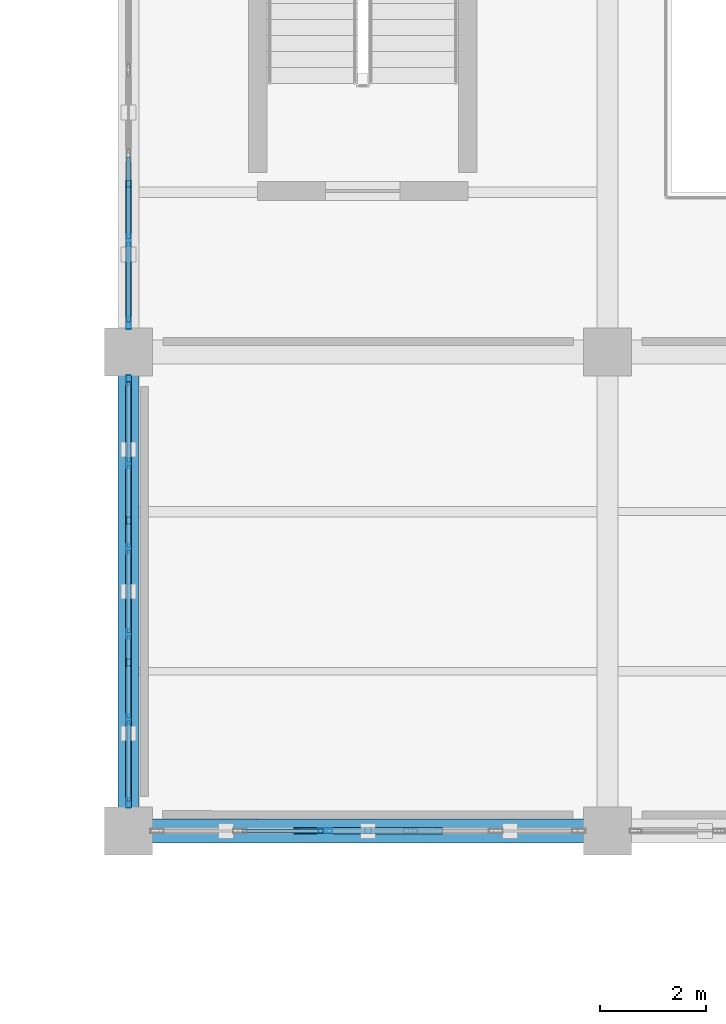
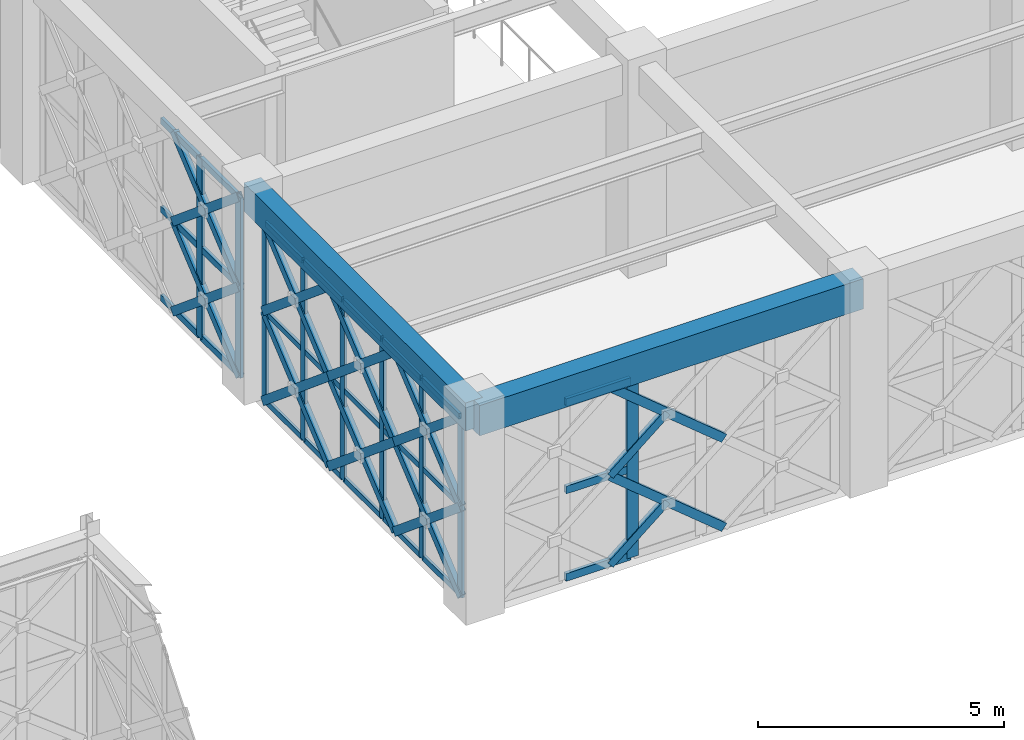
# One storey, part 49 of 155: 61 members, 2 beams, 3 elements without a shape of their own.
"""IFC4 building model written with IfcOpenShell, lengths in metres."""

from ifc_helpers import new_model, si_unit, direction, frame, origin, origin_2d, place, context, subcontext, project, spatial, rectangle, hollow_rectangle, extrude, material, material_profile, profile_set, type_object, element, aggregate, save


model = new_model("IFC4")

# Units and contexts
model_context = context("Model", 3, precision=1e-05, world=origin(), true_north=direction((0.0, 1.0)))
body_context = subcontext(model_context, "Body", "Model", "MODEL_VIEW")
ifc_project = project(units=[si_unit("LENGTHUNIT", "METRE"), si_unit("AREAUNIT", "SQUARE_METRE"), si_unit("VOLUMEUNIT", "CUBIC_METRE"), si_unit("PLANEANGLEUNIT", "RADIAN"), si_unit("MASSUNIT", "GRAM", prefix="KILO")], contexts=[model_context])

# Site, building, storey
site_placement = place(None, origin())
site = spatial("IfcSite", under=ifc_project, at=site_placement, CompositionType="ELEMENT")
building_placement = place(site_placement, origin())
building = spatial("IfcBuilding", under=site, at=building_placement, Name="Haizhuo Lancet Aquarium", CompositionType="ELEMENT")
storey_placement = place(building_placement, frame((0.0, 0.0, 10.800048828125)))
storey = spatial("IfcBuildingStorey", under=building, at=storey_placement, Name="L02", CompositionType="ELEMENT", Elevation=10.800048828125)

# Beams
ifc_material_1 = material(Name="Concrete C40/50", Category="concrete")
ifc_material_profile_1 = material_profile(ifc_material_1, rectangle(XDim=0.39990234375, YDim=0.699951171875, at=origin_2d()), Name="RC-BM 400x700")
ifc_profile_set_1 = profile_set([ifc_material_profile_1], Name="Concrete C40/50")
beam_type_1 = type_object("IfcBeamType", Name="BM-RC-400x700", PredefinedType="BEAM", material=ifc_profile_set_1)
beam_1_placement = place(storey_placement, frame((27.0, -36.0, 4.81005859375), z_axis=(0.0, 1.0, 0.0), x_axis=(-1.0, 0.0, 0.0)))
element("IfcBeam", 1, at=beam_1_placement, inside=storey, type_object=beam_type_1, Name="L02 V3 primary girder BM-L02-V3-001", PredefinedType="BEAM", context=body_context, shape_type="SweptSolid", body=[
    extrude(rectangle(XDim=0.39990234375, YDim=0.699951171875, at=origin_2d()), origin(), (0.0, 0.0, 1.0), 9.0),
])
ifc_material_profile_2 = material_profile(ifc_material_1, rectangle(XDim=0.449951171875, YDim=0.75, at=origin_2d()), Name="RC-BM 450x750")
ifc_profile_set_2 = profile_set([ifc_material_profile_2], Name="Concrete C40/50")
beam_type_2 = type_object("IfcBeamType", Name="BM-RC-450x750", PredefinedType="BEAM", material=ifc_profile_set_2)
beam_2_placement = place(storey_placement, frame((27.0, -36.0, 4.784912109375), z_axis=(1.0, 0.0, 0.0), x_axis=(0.0, 1.0, 0.0)))
element("IfcBeam", 2, at=beam_2_placement, inside=storey, type_object=beam_type_2, Name="L02 V3 primary girder BM-L02-V3-002", PredefinedType="BEAM", context=body_context, shape_type="SweptSolid", body=[
    extrude(rectangle(XDim=0.449951171875, YDim=0.75, at=origin_2d()), origin(), (0.0, 0.0, 1.0), 9.0),
])

# Curtain wall, members
ifc_material_2 = material(Name="Aluminium 6063-T6", Category="aluminium")
curtain_wall_type_1 = type_object("IfcCurtainWallType", Name="CWO-8010x4460", PredefinedType="NOTDEFINED", material=ifc_material_2)
curtain_wall_1_placement = place(storey_placement, origin())
curtain_wall_1 = element("IfcCurtainWall", 3, at=curtain_wall_1_placement, inside=storey, type_object=curtain_wall_type_1, Name="L02 curtain wall CW-V3-L02-064", PredefinedType="NOTDEFINED")
ifc_material_profile_3 = material_profile(ifc_material_2, hollow_rectangle(XDim=0.06494140625, YDim=0.179931640625, WallThickness=0.00390625, at=origin_2d()), Name="ALU-M 65x180x4")
ifc_profile_set_3 = profile_set([ifc_material_profile_3], Name="Aluminium 6063-T6")
member_type_1 = type_object("IfcMemberType", Name="CW-MUL-1", PredefinedType="MULLION", material=ifc_profile_set_3)
member_1_placement = place(storey_placement, frame((27.0, -35.472900390625, 0.0), z_axis=(0.0, 0.0, 1.0), x_axis=(-1.0, 0.0, 0.0)))
member_1 = element("IfcMember", 4, at=member_1_placement, type_object=member_type_1, Name="CWO-80x44 mullion 1", PredefinedType="MULLION", context=body_context, shape_type="SweptSolid", body=[
    extrude(hollow_rectangle(XDim=0.06494140625, YDim=0.179931640625, WallThickness=0.00390625, at=origin_2d()), origin(), (0.0, 0.0, 1.0), 4.4599609375),
])
member_2_placement = place(storey_placement, frame((27.0, -33.903076171875, 0.0), z_axis=(0.0, 0.0, 1.0), x_axis=(-1.0, 0.0, 0.0)))
member_2 = element("IfcMember", 5, at=member_2_placement, type_object=member_type_1, Name="CWO-80x44 mullion 2", PredefinedType="MULLION", context=body_context, shape_type="SweptSolid", body=[
    extrude(hollow_rectangle(XDim=0.06494140625, YDim=0.179931640625, WallThickness=0.00390625, at=origin_2d()), origin(), (0.0, 0.0, 1.0), 4.4599609375),
])
member_3_placement = place(storey_placement, frame((27.0, -32.301025390625, 0.0), z_axis=(0.0, 0.0, 1.0), x_axis=(-1.0, 0.0, 0.0)))
member_3 = element("IfcMember", 6, at=member_3_placement, type_object=member_type_1, Name="CWO-80x44 mullion 3", PredefinedType="MULLION", context=body_context, shape_type="SweptSolid", body=[
    extrude(hollow_rectangle(XDim=0.06494140625, YDim=0.179931640625, WallThickness=0.00390625, at=origin_2d()), origin(), (0.0, 0.0, 1.0), 4.4599609375),
])
member_4_placement = place(storey_placement, frame((27.0, -30.698974609375, 0.0), z_axis=(0.0, 0.0, 1.0), x_axis=(-1.0, 0.0, 0.0)))
member_4 = element("IfcMember", 7, at=member_4_placement, type_object=member_type_1, Name="CWO-80x44 mullion 4", PredefinedType="MULLION", context=body_context, shape_type="SweptSolid", body=[
    extrude(hollow_rectangle(XDim=0.06494140625, YDim=0.179931640625, WallThickness=0.00390625, at=origin_2d()), origin(), (0.0, 0.0, 1.0), 4.4599609375),
])
member_5_placement = place(storey_placement, frame((27.0, -29.096923828125, 0.0), z_axis=(0.0, 0.0, 1.0), x_axis=(-1.0, 0.0, 0.0)))
member_5 = element("IfcMember", 8, at=member_5_placement, type_object=member_type_1, Name="CWO-80x44 mullion 5", PredefinedType="MULLION", context=body_context, shape_type="SweptSolid", body=[
    extrude(hollow_rectangle(XDim=0.06494140625, YDim=0.179931640625, WallThickness=0.00390625, at=origin_2d()), origin(), (0.0, 0.0, 1.0), 4.4599609375),
])
member_6_placement = place(storey_placement, frame((27.0, -27.527099609375, 0.0), z_axis=(0.0, 0.0, 1.0), x_axis=(-1.0, 0.0, 0.0)))
member_6 = element("IfcMember", 9, at=member_6_placement, type_object=member_type_1, Name="CWO-80x44 mullion 6", PredefinedType="MULLION", context=body_context, shape_type="SweptSolid", body=[
    extrude(hollow_rectangle(XDim=0.06494140625, YDim=0.179931640625, WallThickness=0.00390625, at=origin_2d()), origin(), (0.0, 0.0, 1.0), 4.4599609375),
])

curtain_wall_2_placement = place(storey_placement, origin())
curtain_wall_2 = element("IfcCurtainWall", 10, at=curtain_wall_2_placement, inside=storey, type_object=curtain_wall_type_1, Name="L02 curtain wall CW-V3-L02-065", PredefinedType="NOTDEFINED")
ifc_material_profile_4 = material_profile(ifc_material_2, hollow_rectangle(XDim=0.074951171875, YDim=0.219970703125, WallThickness=0.0048828125, at=origin_2d()), Name="ALU-M 75x220x5")
ifc_profile_set_4 = profile_set([ifc_material_profile_4], Name="Aluminium 6063-T6")
member_type_2 = type_object("IfcMemberType", Name="CW-MUL-2", PredefinedType="MULLION", material=ifc_profile_set_4)
member_7_placement = place(storey_placement, frame((27.0, -26.467041015625, 0.0), z_axis=(0.0, 0.0, 1.0), x_axis=(-1.0, 0.0, 0.0)))
member_7 = element("IfcMember", 11, at=member_7_placement, type_object=member_type_2, Name="CWO-80x44 mullion 1", PredefinedType="MULLION", context=body_context, shape_type="SweptSolid", body=[
    extrude(hollow_rectangle(XDim=0.074951171875, YDim=0.219970703125, WallThickness=0.0048828125, at=origin_2d()), origin(), (0.0, 0.0, 1.0), 4.4599609375),
])
member_8_placement = place(storey_placement, frame((27.0, -24.903076171875, 0.0), z_axis=(0.0, 0.0, 1.0), x_axis=(-1.0, 0.0, 0.0)))
member_8 = element("IfcMember", 12, at=member_8_placement, type_object=member_type_2, Name="CWO-80x44 mullion 2", PredefinedType="MULLION", context=body_context, shape_type="SweptSolid", body=[
    extrude(hollow_rectangle(XDim=0.074951171875, YDim=0.219970703125, WallThickness=0.0048828125, at=origin_2d()), origin(), (0.0, 0.0, 1.0), 4.4599609375),
])

# Curtain wall, member
curtain_wall_type_2 = type_object("IfcCurtainWallType", Name="CWO-8010x4410", PredefinedType="NOTDEFINED", material=ifc_material_2)
curtain_wall_3_placement = place(storey_placement, origin())
curtain_wall_3 = element("IfcCurtainWall", 13, at=curtain_wall_3_placement, inside=storey, type_object=curtain_wall_type_2, Name="L02 curtain wall CW-V3-L02-063", PredefinedType="NOTDEFINED")
ifc_material_profile_5 = material_profile(ifc_material_2, hollow_rectangle(XDim=0.080078125, YDim=0.260009765625, WallThickness=0.0048828125, at=origin_2d()), Name="ALU-M 80x260x5")
ifc_profile_set_5 = profile_set([ifc_material_profile_5], Name="Aluminium 6063-T6")
member_type_3 = type_object("IfcMemberType", Name="CW-MUL-3", PredefinedType="MULLION", material=ifc_profile_set_5)
member_9_placement = place(storey_placement, frame((30.698974609375, -36.0, 0.0), z_axis=(0.0, 0.0, 1.0), x_axis=(0.0, -1.0, 0.0)))
member_9 = element("IfcMember", 14, at=member_9_placement, type_object=member_type_3, Name="CWO-80x44 mullion 4", PredefinedType="MULLION", context=body_context, shape_type="SweptSolid", body=[
    extrude(hollow_rectangle(XDim=0.080078125, YDim=0.260009765625, WallThickness=0.0048828125, at=origin_2d()), origin(), (0.0, 0.0, 1.0), 4.409912109375),
])

# Member
ifc_material_profile_6 = material_profile(ifc_material_2, hollow_rectangle(XDim=0.06494140625, YDim=0.139892578125, WallThickness=0.00390625, at=origin_2d()), Name="ALU-T 65x140x4")
ifc_profile_set_6 = profile_set([ifc_material_profile_6], Name="Aluminium 6063-T6")
member_type_4 = type_object("IfcMemberType", Name="CW-TRN-1", PredefinedType="NOTDEFINED", material=ifc_profile_set_6)
member_10_placement = place(storey_placement, frame((27.0, -35.43994140625, 0.032958984375), z_axis=(0.0, 1.0, 0.0), x_axis=(-1.0, 0.0, 0.0)))
member_10 = element("IfcMember", 15, at=member_10_placement, type_object=member_type_4, Name="CWO-80x44 transom 1.1", ObjectType="TRANSOM", PredefinedType="USERDEFINED", context=body_context, shape_type="SweptSolid", body=[
    extrude(hollow_rectangle(XDim=0.06494140625, YDim=0.139892578125, WallThickness=0.00390625, at=origin_2d()), origin(), (0.0, 0.0, 1.0), 1.50390625),
])

member_11_placement = place(storey_placement, frame((27.0, -35.43994140625, 2.22998046875), z_axis=(0.0, 1.0, 0.0), x_axis=(-1.0, 0.0, 0.0)))
member_11 = element("IfcMember", 16, at=member_11_placement, type_object=member_type_4, Name="CWO-80x44 transom 1.2", ObjectType="TRANSOM", PredefinedType="USERDEFINED", context=body_context, shape_type="SweptSolid", body=[
    extrude(hollow_rectangle(XDim=0.06494140625, YDim=0.139892578125, WallThickness=0.00390625, at=origin_2d()), origin(), (0.0, 0.0, 1.0), 1.50390625),
])

member_12_placement = place(storey_placement, frame((27.0, -35.43994140625, 4.427001953125), z_axis=(0.0, 1.0, 0.0), x_axis=(-1.0, 0.0, 0.0)))
member_12 = element("IfcMember", 17, at=member_12_placement, type_object=member_type_4, Name="CWO-80x44 transom 1.3", ObjectType="TRANSOM", PredefinedType="USERDEFINED", context=body_context, shape_type="SweptSolid", body=[
    extrude(hollow_rectangle(XDim=0.06494140625, YDim=0.139892578125, WallThickness=0.00390625, at=origin_2d()), origin(), (0.0, 0.0, 1.0), 1.50390625),
])

member_13_placement = place(storey_placement, frame((27.0, -33.8701171875, 0.032958984375), z_axis=(0.0, 1.0, 0.0), x_axis=(-1.0, 0.0, 0.0)))
member_13 = element("IfcMember", 18, at=member_13_placement, type_object=member_type_4, Name="CWO-80x44 transom 2.1", ObjectType="TRANSOM", PredefinedType="USERDEFINED", context=body_context, shape_type="SweptSolid", body=[
    extrude(hollow_rectangle(XDim=0.06494140625, YDim=0.139892578125, WallThickness=0.00390625, at=origin_2d()), origin(), (0.0, 0.0, 1.0), 1.5361328125),
])

member_14_placement = place(storey_placement, frame((27.0, -33.8701171875, 2.22998046875), z_axis=(0.0, 1.0, 0.0), x_axis=(-1.0, 0.0, 0.0)))
member_14 = element("IfcMember", 19, at=member_14_placement, type_object=member_type_4, Name="CWO-80x44 transom 2.2", ObjectType="TRANSOM", PredefinedType="USERDEFINED", context=body_context, shape_type="SweptSolid", body=[
    extrude(hollow_rectangle(XDim=0.06494140625, YDim=0.139892578125, WallThickness=0.00390625, at=origin_2d()), origin(), (0.0, 0.0, 1.0), 1.5361328125),
])

member_15_placement = place(storey_placement, frame((27.0, -33.8701171875, 4.427001953125), z_axis=(0.0, 1.0, 0.0), x_axis=(-1.0, 0.0, 0.0)))
member_15 = element("IfcMember", 20, at=member_15_placement, type_object=member_type_4, Name="CWO-80x44 transom 2.3", ObjectType="TRANSOM", PredefinedType="USERDEFINED", context=body_context, shape_type="SweptSolid", body=[
    extrude(hollow_rectangle(XDim=0.06494140625, YDim=0.139892578125, WallThickness=0.00390625, at=origin_2d()), origin(), (0.0, 0.0, 1.0), 1.5361328125),
])

member_16_placement = place(storey_placement, frame((27.0, -32.26904296875, 0.032958984375), z_axis=(0.0, 1.0, 0.0), x_axis=(-1.0, 0.0, 0.0)))
member_16 = element("IfcMember", 21, at=member_16_placement, type_object=member_type_4, Name="CWO-80x44 transom 3.1", ObjectType="TRANSOM", PredefinedType="USERDEFINED", context=body_context, shape_type="SweptSolid", body=[
    extrude(hollow_rectangle(XDim=0.06494140625, YDim=0.139892578125, WallThickness=0.00390625, at=origin_2d()), origin(), (0.0, 0.0, 1.0), 1.537109375),
])

member_17_placement = place(storey_placement, frame((27.0, -32.26904296875, 2.22998046875), z_axis=(0.0, 1.0, 0.0), x_axis=(-1.0, 0.0, 0.0)))
member_17 = element("IfcMember", 22, at=member_17_placement, type_object=member_type_4, Name="CWO-80x44 transom 3.2", ObjectType="TRANSOM", PredefinedType="USERDEFINED", context=body_context, shape_type="SweptSolid", body=[
    extrude(hollow_rectangle(XDim=0.06494140625, YDim=0.139892578125, WallThickness=0.00390625, at=origin_2d()), origin(), (0.0, 0.0, 1.0), 1.537109375),
])

member_18_placement = place(storey_placement, frame((27.0, -32.26904296875, 4.427001953125), z_axis=(0.0, 1.0, 0.0), x_axis=(-1.0, 0.0, 0.0)))
member_18 = element("IfcMember", 23, at=member_18_placement, type_object=member_type_4, Name="CWO-80x44 transom 3.3", ObjectType="TRANSOM", PredefinedType="USERDEFINED", context=body_context, shape_type="SweptSolid", body=[
    extrude(hollow_rectangle(XDim=0.06494140625, YDim=0.139892578125, WallThickness=0.00390625, at=origin_2d()), origin(), (0.0, 0.0, 1.0), 1.537109375),
])

member_19_placement = place(storey_placement, frame((27.0, -30.6669921875, 0.032958984375), z_axis=(0.0, 1.0, 0.0), x_axis=(-1.0, 0.0, 0.0)))
member_19 = element("IfcMember", 24, at=member_19_placement, type_object=member_type_4, Name="CWO-80x44 transom 4.1", ObjectType="TRANSOM", PredefinedType="USERDEFINED", context=body_context, shape_type="SweptSolid", body=[
    extrude(hollow_rectangle(XDim=0.06494140625, YDim=0.139892578125, WallThickness=0.00390625, at=origin_2d()), origin(), (0.0, 0.0, 1.0), 1.537109375),
])

member_20_placement = place(storey_placement, frame((27.0, -30.6669921875, 2.22998046875), z_axis=(0.0, 1.0, 0.0), x_axis=(-1.0, 0.0, 0.0)))
member_20 = element("IfcMember", 25, at=member_20_placement, type_object=member_type_4, Name="CWO-80x44 transom 4.2", ObjectType="TRANSOM", PredefinedType="USERDEFINED", context=body_context, shape_type="SweptSolid", body=[
    extrude(hollow_rectangle(XDim=0.06494140625, YDim=0.139892578125, WallThickness=0.00390625, at=origin_2d()), origin(), (0.0, 0.0, 1.0), 1.537109375),
])

member_21_placement = place(storey_placement, frame((27.0, -30.6669921875, 4.427001953125), z_axis=(0.0, 1.0, 0.0), x_axis=(-1.0, 0.0, 0.0)))
member_21 = element("IfcMember", 26, at=member_21_placement, type_object=member_type_4, Name="CWO-80x44 transom 4.3", ObjectType="TRANSOM", PredefinedType="USERDEFINED", context=body_context, shape_type="SweptSolid", body=[
    extrude(hollow_rectangle(XDim=0.06494140625, YDim=0.139892578125, WallThickness=0.00390625, at=origin_2d()), origin(), (0.0, 0.0, 1.0), 1.537109375),
])

member_22_placement = place(storey_placement, frame((27.0, -29.06494140625, 0.032958984375), z_axis=(0.0, 1.0, 0.0), x_axis=(-1.0, 0.0, 0.0)))
member_22 = element("IfcMember", 27, at=member_22_placement, type_object=member_type_4, Name="CWO-80x44 transom 5.1", ObjectType="TRANSOM", PredefinedType="USERDEFINED", context=body_context, shape_type="SweptSolid", body=[
    extrude(hollow_rectangle(XDim=0.06494140625, YDim=0.139892578125, WallThickness=0.00390625, at=origin_2d()), origin(), (0.0, 0.0, 1.0), 1.5048828125),
])

member_23_placement = place(storey_placement, frame((27.0, -29.06494140625, 2.22998046875), z_axis=(0.0, 1.0, 0.0), x_axis=(-1.0, 0.0, 0.0)))
member_23 = element("IfcMember", 28, at=member_23_placement, type_object=member_type_4, Name="CWO-80x44 transom 5.2", ObjectType="TRANSOM", PredefinedType="USERDEFINED", context=body_context, shape_type="SweptSolid", body=[
    extrude(hollow_rectangle(XDim=0.06494140625, YDim=0.139892578125, WallThickness=0.00390625, at=origin_2d()), origin(), (0.0, 0.0, 1.0), 1.5048828125),
])

member_24_placement = place(storey_placement, frame((27.0, -29.06494140625, 4.427001953125), z_axis=(0.0, 1.0, 0.0), x_axis=(-1.0, 0.0, 0.0)))
member_24 = element("IfcMember", 29, at=member_24_placement, type_object=member_type_4, Name="CWO-80x44 transom 5.3", ObjectType="TRANSOM", PredefinedType="USERDEFINED", context=body_context, shape_type="SweptSolid", body=[
    extrude(hollow_rectangle(XDim=0.06494140625, YDim=0.139892578125, WallThickness=0.00390625, at=origin_2d()), origin(), (0.0, 0.0, 1.0), 1.5048828125),
])

aggregate(curtain_wall_1, [member_1, member_2, member_3, member_4, member_5, member_6, member_10, member_11, member_12, member_13, member_14, member_15, member_16, member_17, member_18, member_19, member_20, member_21, member_22, member_23, member_24])

ifc_material_profile_7 = material_profile(ifc_material_2, hollow_rectangle(XDim=0.074951171875, YDim=0.159912109375, WallThickness=0.00390625, at=origin_2d()), Name="ALU-T 75x160x4")
ifc_profile_set_7 = profile_set([ifc_material_profile_7], Name="Aluminium 6063-T6")
member_type_5 = type_object("IfcMemberType", Name="CW-TRN-2", PredefinedType="NOTDEFINED", material=ifc_profile_set_7)
member_25_placement = place(storey_placement, frame((27.0, -26.429931640625, 0.037841796875), z_axis=(0.0, 1.0, 0.0), x_axis=(-1.0, 0.0, 0.0)))
member_25 = element("IfcMember", 30, at=member_25_placement, type_object=member_type_5, Name="CWO-80x44 transom 1.1", ObjectType="TRANSOM", PredefinedType="USERDEFINED", context=body_context, shape_type="SweptSolid", body=[
    extrude(hollow_rectangle(XDim=0.074951171875, YDim=0.159912109375, WallThickness=0.00390625, at=origin_2d()), origin(), (0.0, 0.0, 1.0), 1.489013671875),
])

member_26_placement = place(storey_placement, frame((27.0, -26.429931640625, 2.22998046875), z_axis=(0.0, 1.0, 0.0), x_axis=(-1.0, 0.0, 0.0)))
member_26 = element("IfcMember", 31, at=member_26_placement, type_object=member_type_5, Name="CWO-80x44 transom 1.2", ObjectType="TRANSOM", PredefinedType="USERDEFINED", context=body_context, shape_type="SweptSolid", body=[
    extrude(hollow_rectangle(XDim=0.074951171875, YDim=0.159912109375, WallThickness=0.00390625, at=origin_2d()), origin(), (0.0, 0.0, 1.0), 1.489013671875),
])

member_27_placement = place(storey_placement, frame((27.0, -26.429931640625, 4.4228515625), z_axis=(0.0, 1.0, 0.0), x_axis=(-1.0, 0.0, 0.0)))
member_27 = element("IfcMember", 32, at=member_27_placement, type_object=member_type_5, Name="CWO-80x44 transom 1.3", ObjectType="TRANSOM", PredefinedType="USERDEFINED", context=body_context, shape_type="SweptSolid", body=[
    extrude(hollow_rectangle(XDim=0.074951171875, YDim=0.159912109375, WallThickness=0.00390625, at=origin_2d()), origin(), (0.0, 0.0, 1.0), 1.489013671875),
])

member_28_placement = place(storey_placement, frame((27.0, -24.865966796875, 0.037841796875), z_axis=(0.0, 1.0, 0.0), x_axis=(-1.0, 0.0, 0.0)))
member_28 = element("IfcMember", 33, at=member_28_placement, type_object=member_type_5, Name="CWO-80x44 transom 2.1", ObjectType="TRANSOM", PredefinedType="USERDEFINED", context=body_context, shape_type="SweptSolid", body=[
    extrude(hollow_rectangle(XDim=0.074951171875, YDim=0.159912109375, WallThickness=0.00390625, at=origin_2d()), origin(), (0.0, 0.0, 1.0), 1.528076171875),
])

member_29_placement = place(storey_placement, frame((27.0, -24.865966796875, 2.22998046875), z_axis=(0.0, 1.0, 0.0), x_axis=(-1.0, 0.0, 0.0)))
member_29 = element("IfcMember", 34, at=member_29_placement, type_object=member_type_5, Name="CWO-80x44 transom 2.2", ObjectType="TRANSOM", PredefinedType="USERDEFINED", context=body_context, shape_type="SweptSolid", body=[
    extrude(hollow_rectangle(XDim=0.074951171875, YDim=0.159912109375, WallThickness=0.00390625, at=origin_2d()), origin(), (0.0, 0.0, 1.0), 1.528076171875),
])

member_30_placement = place(storey_placement, frame((27.0, -24.865966796875, 4.4228515625), z_axis=(0.0, 1.0, 0.0), x_axis=(-1.0, 0.0, 0.0)))
member_30 = element("IfcMember", 35, at=member_30_placement, type_object=member_type_5, Name="CWO-80x44 transom 2.3", ObjectType="TRANSOM", PredefinedType="USERDEFINED", context=body_context, shape_type="SweptSolid", body=[
    extrude(hollow_rectangle(XDim=0.074951171875, YDim=0.159912109375, WallThickness=0.00390625, at=origin_2d()), origin(), (0.0, 0.0, 1.0), 1.528076171875),
])

aggregate(curtain_wall_2, [member_7, member_8, member_25, member_26, member_27, member_28, member_29, member_30])

ifc_material_profile_8 = material_profile(ifc_material_2, hollow_rectangle(XDim=0.080078125, YDim=0.18994140625, WallThickness=0.0048828125, at=origin_2d()), Name="ALU-T 80x190x5")
ifc_profile_set_8 = profile_set([ifc_material_profile_8], Name="Aluminium 6063-T6")
member_type_6 = type_object("IfcMemberType", Name="CW-TRN-3", PredefinedType="NOTDEFINED", material=ifc_profile_set_8)
member_31_placement = place(storey_placement, frame((30.658935546875, -36.0, 0.0400390625), z_axis=(-1.0, 0.0, 0.0), x_axis=(0.0, -1.0, 0.0)))
member_31 = element("IfcMember", 36, at=member_31_placement, type_object=member_type_6, Name="CWO-80x44 transom 4.1", ObjectType="TRANSOM", PredefinedType="USERDEFINED", context=body_context, shape_type="SweptSolid", body=[
    extrude(hollow_rectangle(XDim=0.080078125, YDim=0.18994140625, WallThickness=0.0048828125, at=origin_2d()), origin(), (0.0, 0.0, 1.0), 1.52197265625),
])

member_32_placement = place(storey_placement, frame((30.658935546875, -36.0, 2.204833984375), z_axis=(-1.0, 0.0, 0.0), x_axis=(0.0, -1.0, 0.0)))
member_32 = element("IfcMember", 37, at=member_32_placement, type_object=member_type_6, Name="CWO-80x44 transom 4.2", ObjectType="TRANSOM", PredefinedType="USERDEFINED", context=body_context, shape_type="SweptSolid", body=[
    extrude(hollow_rectangle(XDim=0.080078125, YDim=0.18994140625, WallThickness=0.0048828125, at=origin_2d()), origin(), (0.0, 0.0, 1.0), 1.52197265625),
])

member_33_placement = place(storey_placement, frame((30.658935546875, -36.0, 4.369873046875), z_axis=(-1.0, 0.0, 0.0), x_axis=(0.0, -1.0, 0.0)))
member_33 = element("IfcMember", 38, at=member_33_placement, type_object=member_type_6, Name="CWO-80x44 transom 4.3", ObjectType="TRANSOM", PredefinedType="USERDEFINED", context=body_context, shape_type="SweptSolid", body=[
    extrude(hollow_rectangle(XDim=0.080078125, YDim=0.18994140625, WallThickness=0.0048828125, at=origin_2d()), origin(), (0.0, 0.0, 1.0), 1.52197265625),
])

aggregate(curtain_wall_3, [member_9, member_31, member_32, member_33])

# Members
ifc_material_3 = material(Name="Steel S355", Category="steel")
ifc_material_profile_9 = material_profile(ifc_material_3, hollow_rectangle(XDim=0.1201171875, YDim=0.199951171875, WallThickness=0.008056640625, at=origin_2d()), Name="RHS 120x200x8")
ifc_profile_set_9 = profile_set([ifc_material_profile_9], Name="Steel S355")
member_type_7 = type_object("IfcMemberType", Name="MEM-LB-RHS120x200", PredefinedType="BRACE", material=ifc_profile_set_9)
member_34_placement = place(storey_placement, frame((32.8349609375, -36.0, 0.0), z_axis=(-0.771068610934, 0.0, 0.636752068887), x_axis=(0.0, -1.0, 0.0)))
element("IfcMember", 39, at=member_34_placement, inside=storey, type_object=member_type_7, Name="Gothic lancet continuous diagonal brace CW-V3-L02-063 3A", PredefinedType="BRACE", context=body_context, shape_type="SweptSolid", body=[
    extrude(hollow_rectangle(XDim=0.1201171875, YDim=0.199951171875, WallThickness=0.008056640625, at=origin_2d()), origin(), (0.0, 0.0, 1.0), 3.462646484375),
])
member_35_placement = place(storey_placement, frame((30.1650390625, -36.0, 0.0), z_axis=(0.771172467693, 0.0, 0.63662628368), x_axis=(0.0, 1.0, 0.0)))
element("IfcMember", 40, at=member_35_placement, inside=storey, type_object=member_type_7, Name="Gothic lancet split diagonal brace CW-V3-L02-063 3B1", PredefinedType="BRACE", context=body_context, shape_type="SweptSolid", body=[
    extrude(hollow_rectangle(XDim=0.1201171875, YDim=0.199951171875, WallThickness=0.008056640625, at=origin_2d()), origin(), (0.0, 0.0, 1.0), 1.731201171875),
])
member_36_placement = place(storey_placement, frame((32.8349609375, -36.0, 2.204833984375), z_axis=(-0.771033993673, 0.0, 0.636793985996), x_axis=(0.0, -1.0, 0.0)))
element("IfcMember", 41, at=member_36_placement, inside=storey, type_object=member_type_7, Name="Gothic lancet continuous diagonal brace CW-V3-L02-063 4A", PredefinedType="BRACE", context=body_context, shape_type="SweptSolid", body=[
    extrude(hollow_rectangle(XDim=0.1201171875, YDim=0.199951171875, WallThickness=0.008056640625, at=origin_2d()), origin(), (0.0, 0.0, 1.0), 3.462890625),
])
member_37_placement = place(storey_placement, frame((30.1650390625, -36.0, 2.204833984375), z_axis=(0.770895532931, 0.0, 0.636961597985), x_axis=(0.0, 1.0, 0.0)))
element("IfcMember", 42, at=member_37_placement, inside=storey, type_object=member_type_7, Name="Gothic lancet split diagonal brace CW-V3-L02-063 4B1", PredefinedType="BRACE", context=body_context, shape_type="SweptSolid", body=[
    extrude(hollow_rectangle(XDim=0.1201171875, YDim=0.199951171875, WallThickness=0.008056640625, at=origin_2d()), origin(), (0.0, 0.0, 1.0), 1.731689453125),
])
member_38_placement = place(storey_placement, frame((27.0, -35.5048828125, 0.0), z_axis=(0.0, 0.767507480131, 0.641039989348), x_axis=(-1.0, 0.0, 0.0)))
element("IfcMember", 43, at=member_38_placement, inside=storey, type_object=member_type_7, Name="Gothic lancet continuous diagonal brace CW-V3-L02-064 1A", PredefinedType="BRACE", context=body_context, shape_type="SweptSolid", body=[
    extrude(hollow_rectangle(XDim=0.1201171875, YDim=0.199951171875, WallThickness=0.008056640625, at=origin_2d()), origin(), (0.0, 0.0, 1.0), 3.478759765625),
])
for number, where, z_axis, x_axis, name in (
    (44, (27.0, -32.8349609375, 0.0), (0.0, -0.767507480131, 0.641039989348), (1.0, 0.0, 0.0), "Gothic lancet split diagonal brace CW-V3-L02-064 1B1"),
    (45, (27.0, -34.169921875, 1.114990234375), (0.0, -0.767507480131, 0.641039989348), (1.0, 0.0, 0.0), "Gothic lancet split diagonal brace CW-V3-L02-064 1B2"),
):
    element("IfcMember", number, at=place(storey_placement, frame(where, z_axis=z_axis, x_axis=x_axis)), inside=storey, type_object=member_type_7, Name=name, PredefinedType="BRACE", context=body_context, shape_type="SweptSolid", body=[
        extrude(hollow_rectangle(XDim=0.1201171875, YDim=0.199951171875, WallThickness=0.008056640625, at=origin_2d()), origin(), (0.0, 0.0, 1.0), 1.7392578125),
    ])
member_39_placement = place(storey_placement, frame((27.0, -35.5048828125, 2.22998046875), z_axis=(0.0, 0.767507480131, 0.641039989348), x_axis=(-1.0, 0.0, 0.0)))
element("IfcMember", 46, at=member_39_placement, inside=storey, type_object=member_type_7, Name="Gothic lancet continuous diagonal brace CW-V3-L02-064 2A", PredefinedType="BRACE", context=body_context, shape_type="SweptSolid", body=[
    extrude(hollow_rectangle(XDim=0.1201171875, YDim=0.199951171875, WallThickness=0.008056640625, at=origin_2d()), origin(), (0.0, 0.0, 1.0), 3.478759765625),
])
for number, where, z_axis, x_axis, name in (
    (47, (27.0, -32.8349609375, 2.22998046875), (0.0, -0.767507480131, 0.641039989348), (1.0, 0.0, 0.0), "Gothic lancet split diagonal brace CW-V3-L02-064 2B1"),
    (48, (27.0, -34.169921875, 3.344970703125), (0.0, -0.767507480131, 0.641039989348), (1.0, 0.0, 0.0), "Gothic lancet split diagonal brace CW-V3-L02-064 2B2"),
):
    element("IfcMember", number, at=place(storey_placement, frame(where, z_axis=z_axis, x_axis=x_axis)), inside=storey, type_object=member_type_7, Name=name, PredefinedType="BRACE", context=body_context, shape_type="SweptSolid", body=[
        extrude(hollow_rectangle(XDim=0.1201171875, YDim=0.199951171875, WallThickness=0.008056640625, at=origin_2d()), origin(), (0.0, 0.0, 1.0), 1.7392578125),
    ])
member_40_placement = place(storey_placement, frame((27.0, -32.8349609375, 0.0), z_axis=(0.0, 0.767507480131, 0.641039989348), x_axis=(-1.0, 0.0, 0.0)))
element("IfcMember", 49, at=member_40_placement, inside=storey, type_object=member_type_7, Name="Gothic lancet continuous diagonal brace CW-V3-L02-064 3A", PredefinedType="BRACE", context=body_context, shape_type="SweptSolid", body=[
    extrude(hollow_rectangle(XDim=0.1201171875, YDim=0.199951171875, WallThickness=0.008056640625, at=origin_2d()), origin(), (0.0, 0.0, 1.0), 3.478759765625),
])
for number, where, z_axis, x_axis, name in (
    (50, (27.0, -30.1650390625, 0.0), (0.0, -0.767507480131, 0.641039989348), (1.0, 0.0, 0.0), "Gothic lancet split diagonal brace CW-V3-L02-064 3B1"),
    (51, (27.0, -31.5, 1.114990234375), (0.0, -0.767507480131, 0.641039989348), (1.0, 0.0, 0.0), "Gothic lancet split diagonal brace CW-V3-L02-064 3B2"),
):
    element("IfcMember", number, at=place(storey_placement, frame(where, z_axis=z_axis, x_axis=x_axis)), inside=storey, type_object=member_type_7, Name=name, PredefinedType="BRACE", context=body_context, shape_type="SweptSolid", body=[
        extrude(hollow_rectangle(XDim=0.1201171875, YDim=0.199951171875, WallThickness=0.008056640625, at=origin_2d()), origin(), (0.0, 0.0, 1.0), 1.7392578125),
    ])
member_41_placement = place(storey_placement, frame((27.0, -32.8349609375, 2.22998046875), z_axis=(0.0, 0.767507480131, 0.641039989348), x_axis=(-1.0, 0.0, 0.0)))
element("IfcMember", 52, at=member_41_placement, inside=storey, type_object=member_type_7, Name="Gothic lancet continuous diagonal brace CW-V3-L02-064 4A", PredefinedType="BRACE", context=body_context, shape_type="SweptSolid", body=[
    extrude(hollow_rectangle(XDim=0.1201171875, YDim=0.199951171875, WallThickness=0.008056640625, at=origin_2d()), origin(), (0.0, 0.0, 1.0), 3.478759765625),
])
for number, where, z_axis, x_axis, name in (
    (53, (27.0, -30.1650390625, 2.22998046875), (0.0, -0.767507480131, 0.641039989348), (1.0, 0.0, 0.0), "Gothic lancet split diagonal brace CW-V3-L02-064 4B1"),
    (54, (27.0, -31.5, 3.344970703125), (0.0, -0.767507480131, 0.641039989348), (1.0, 0.0, 0.0), "Gothic lancet split diagonal brace CW-V3-L02-064 4B2"),
):
    element("IfcMember", number, at=place(storey_placement, frame(where, z_axis=z_axis, x_axis=x_axis)), inside=storey, type_object=member_type_7, Name=name, PredefinedType="BRACE", context=body_context, shape_type="SweptSolid", body=[
        extrude(hollow_rectangle(XDim=0.1201171875, YDim=0.199951171875, WallThickness=0.008056640625, at=origin_2d()), origin(), (0.0, 0.0, 1.0), 1.7392578125),
    ])
member_42_placement = place(storey_placement, frame((27.0, -30.1650390625, 0.0), z_axis=(0.0, 0.767507480131, 0.641039989348), x_axis=(-1.0, 0.0, 0.0)))
element("IfcMember", 55, at=member_42_placement, inside=storey, type_object=member_type_7, Name="Gothic lancet continuous diagonal brace CW-V3-L02-064 5A", PredefinedType="BRACE", context=body_context, shape_type="SweptSolid", body=[
    extrude(hollow_rectangle(XDim=0.1201171875, YDim=0.199951171875, WallThickness=0.008056640625, at=origin_2d()), origin(), (0.0, 0.0, 1.0), 3.478759765625),
])
for number, where, z_axis, x_axis, name in (
    (56, (27.0, -27.4951171875, 0.0), (0.0, -0.767507480131, 0.641039989348), (1.0, 0.0, 0.0), "Gothic lancet split diagonal brace CW-V3-L02-064 5B1"),
    (57, (27.0, -28.830078125, 1.114990234375), (0.0, -0.767507480131, 0.641039989348), (1.0, 0.0, 0.0), "Gothic lancet split diagonal brace CW-V3-L02-064 5B2"),
):
    element("IfcMember", number, at=place(storey_placement, frame(where, z_axis=z_axis, x_axis=x_axis)), inside=storey, type_object=member_type_7, Name=name, PredefinedType="BRACE", context=body_context, shape_type="SweptSolid", body=[
        extrude(hollow_rectangle(XDim=0.1201171875, YDim=0.199951171875, WallThickness=0.008056640625, at=origin_2d()), origin(), (0.0, 0.0, 1.0), 1.7392578125),
    ])
member_43_placement = place(storey_placement, frame((27.0, -30.1650390625, 2.22998046875), z_axis=(0.0, 0.767507480131, 0.641039989348), x_axis=(-1.0, 0.0, 0.0)))
element("IfcMember", 58, at=member_43_placement, inside=storey, type_object=member_type_7, Name="Gothic lancet continuous diagonal brace CW-V3-L02-064 6A", PredefinedType="BRACE", context=body_context, shape_type="SweptSolid", body=[
    extrude(hollow_rectangle(XDim=0.1201171875, YDim=0.199951171875, WallThickness=0.008056640625, at=origin_2d()), origin(), (0.0, 0.0, 1.0), 3.478759765625),
])
for number, where, z_axis, x_axis, name in (
    (59, (27.0, -27.4951171875, 2.22998046875), (0.0, -0.767507480131, 0.641039989348), (1.0, 0.0, 0.0), "Gothic lancet split diagonal brace CW-V3-L02-064 6B1"),
    (60, (27.0, -28.830078125, 3.344970703125), (0.0, -0.767507480131, 0.641039989348), (1.0, 0.0, 0.0), "Gothic lancet split diagonal brace CW-V3-L02-064 6B2"),
):
    element("IfcMember", number, at=place(storey_placement, frame(where, z_axis=z_axis, x_axis=x_axis)), inside=storey, type_object=member_type_7, Name=name, PredefinedType="BRACE", context=body_context, shape_type="SweptSolid", body=[
        extrude(hollow_rectangle(XDim=0.1201171875, YDim=0.199951171875, WallThickness=0.008056640625, at=origin_2d()), origin(), (0.0, 0.0, 1.0), 1.7392578125),
    ])
member_44_placement = place(storey_placement, frame((27.0, -26.5048828125, 0.0), z_axis=(0.0, 0.767507480131, 0.641039989348), x_axis=(-1.0, 0.0, 0.0)))
element("IfcMember", 61, at=member_44_placement, inside=storey, type_object=member_type_7, Name="Gothic lancet continuous diagonal brace CW-V3-L02-065 1A", PredefinedType="BRACE", context=body_context, shape_type="SweptSolid", body=[
    extrude(hollow_rectangle(XDim=0.1201171875, YDim=0.199951171875, WallThickness=0.008056640625, at=origin_2d()), origin(), (0.0, 0.0, 1.0), 3.478759765625),
])
for number, where, z_axis, x_axis, name in (
    (62, (27.0, -23.8349609375, 0.0), (0.0, -0.767507480131, 0.641039989348), (1.0, 0.0, 0.0), "Gothic lancet split diagonal brace CW-V3-L02-065 1B1"),
    (63, (27.0, -25.169921875, 1.114990234375), (0.0, -0.767507480131, 0.641039989348), (1.0, 0.0, 0.0), "Gothic lancet split diagonal brace CW-V3-L02-065 1B2"),
):
    element("IfcMember", number, at=place(storey_placement, frame(where, z_axis=z_axis, x_axis=x_axis)), inside=storey, type_object=member_type_7, Name=name, PredefinedType="BRACE", context=body_context, shape_type="SweptSolid", body=[
        extrude(hollow_rectangle(XDim=0.1201171875, YDim=0.199951171875, WallThickness=0.008056640625, at=origin_2d()), origin(), (0.0, 0.0, 1.0), 1.7392578125),
    ])
member_45_placement = place(storey_placement, frame((27.0, -26.5048828125, 2.22998046875), z_axis=(0.0, 0.767507480131, 0.641039989348), x_axis=(-1.0, 0.0, 0.0)))
element("IfcMember", 64, at=member_45_placement, inside=storey, type_object=member_type_7, Name="Gothic lancet continuous diagonal brace CW-V3-L02-065 2A", PredefinedType="BRACE", context=body_context, shape_type="SweptSolid", body=[
    extrude(hollow_rectangle(XDim=0.1201171875, YDim=0.199951171875, WallThickness=0.008056640625, at=origin_2d()), origin(), (0.0, 0.0, 1.0), 3.478759765625),
])
for number, where, z_axis, x_axis, name in (
    (65, (27.0, -23.8349609375, 2.22998046875), (0.0, -0.767507480131, 0.641039989348), (1.0, 0.0, 0.0), "Gothic lancet split diagonal brace CW-V3-L02-065 2B1"),
    (66, (27.0, -25.169921875, 3.344970703125), (0.0, -0.767507480131, 0.641039989348), (1.0, 0.0, 0.0), "Gothic lancet split diagonal brace CW-V3-L02-065 2B2"),
):
    element("IfcMember", number, at=place(storey_placement, frame(where, z_axis=z_axis, x_axis=x_axis)), inside=storey, type_object=member_type_7, Name=name, PredefinedType="BRACE", context=body_context, shape_type="SweptSolid", body=[
        extrude(hollow_rectangle(XDim=0.1201171875, YDim=0.199951171875, WallThickness=0.008056640625, at=origin_2d()), origin(), (0.0, 0.0, 1.0), 1.7392578125),
    ])

save(model, "model.ifc")
